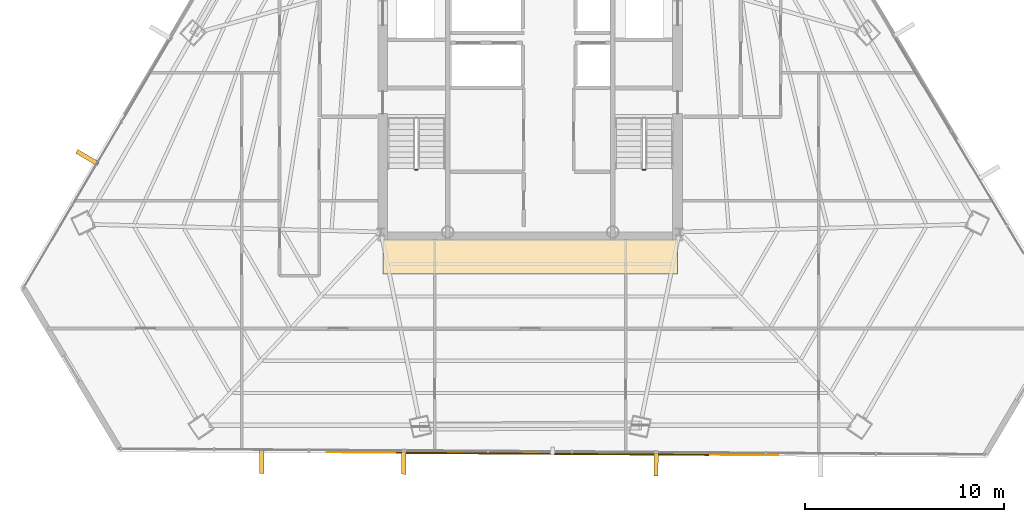
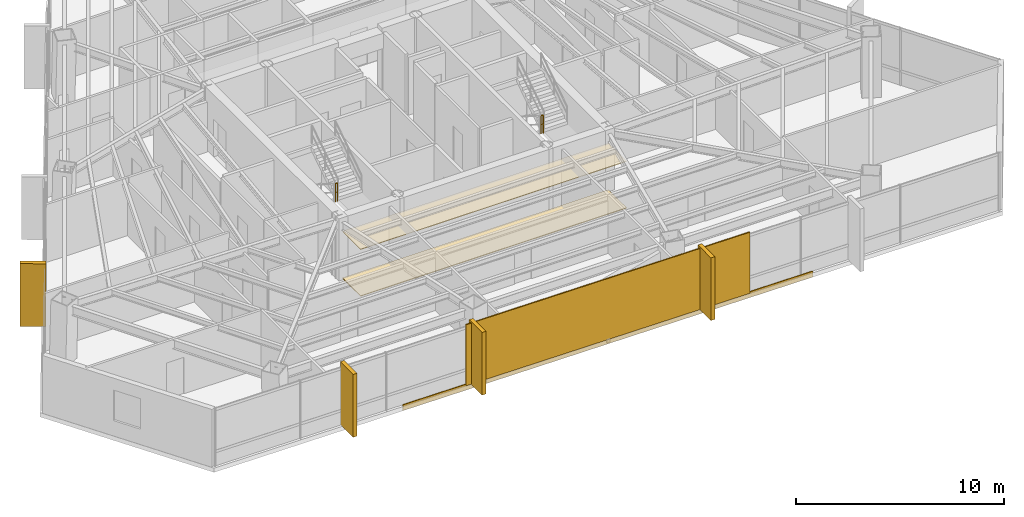
# One storey, part 39 of 41: 7 coverings, 2 railings, 1 shading device.
"""IFC4 building model written with IfcOpenShell, lengths in metres."""

from ifc_helpers import new_model, si_unit, direction, frame, origin, origin_2d, place, context, subcontext, project, spatial, polyline, rectangle, outline, extrude, source, transform, mapped, material, layer, layer_set, type_object, type_shapes, element, save


model = new_model("IFC4")

# Units and contexts
model_context = context("Model", 3, precision=1e-05, world=origin(), true_north=direction((0.0, 1.0)))
body_context = subcontext(model_context, "Body", "Model", "MODEL_VIEW")
ifc_project = project(units=[si_unit("LENGTHUNIT", "METRE"), si_unit("AREAUNIT", "SQUARE_METRE"), si_unit("VOLUMEUNIT", "CUBIC_METRE"), si_unit("PLANEANGLEUNIT", "RADIAN"), si_unit("MASSUNIT", "GRAM", prefix="KILO")], contexts=[model_context])

# Site, building, storey
site_placement = place(None, origin())
site = spatial("IfcSite", under=ifc_project, at=site_placement, CompositionType="ELEMENT")
building_placement = place(site_placement, origin())
building = spatial("IfcBuilding", under=site, at=building_placement, Name="Caelisora Broadcast Tower", CompositionType="ELEMENT")
storey_placement = place(building_placement, frame((0.0, 0.0, 169.449951171875)))
storey = spatial("IfcBuildingStorey", under=building, at=storey_placement, Name="L44", CompositionType="ELEMENT", Elevation=169.449951171875)

# Coverings
ifc_material_1 = material(Name="Perforated Mineral-Fibre Acoustic Ceiling Tile", Category="gypsum")
ifc_layer_1 = layer(ifc_material_1, 0.034912109375, Name="Perforated Mineral-Fibre Acoustic Ceiling Tile")
ifc_layer_set_1 = layer_set([ifc_layer_1], Name="Perforated Mineral-Fibre Acoustic Ceiling Tile")
covering_type_1 = type_object("IfcCoveringType", Name="CE-1", PredefinedType="CEILING", material=ifc_layer_set_1)
covering_1_placement = place(storey_placement, frame((0.0, 0.0, 2.75)))
element("IfcCovering", 1, at=covering_1_placement, inside=storey, type_object=covering_type_1, Name="L44 acoustic corridor ceiling CE-1 (S)", PredefinedType="CEILING", context=body_context, shape_type="SweptSolid", body=[
    extrude(outline(polyline([(30.60009765625, 15.300048828125), (45.39990234375, 15.300048828125), (45.39990234375, 17.050048828125), (30.60009765625, 17.050048828125), (30.60009765625, 15.300048828125)])), origin(), (0.0, 0.0, 1.0), 0.03515625),
])
ifc_material_2 = material(Name="Anti-Static Broadcast Raised Access Floor Panel", Category="steel")
ifc_layer_2 = layer(ifc_material_2, 0.044921875, Name="Anti-Static Broadcast Raised Access Floor Panel")
ifc_layer_set_2 = layer_set([ifc_layer_2], Name="Anti-Static Broadcast Raised Access Floor Panel")
covering_type_2 = type_object("IfcCoveringType", Name="FL-1", PredefinedType="FLOORING", material=ifc_layer_set_2)
covering_2_placement = place(storey_placement, origin())
element("IfcCovering", 2, at=covering_2_placement, inside=storey, type_object=covering_type_2, Name="L44 broadcast raised access floor FL-1 (S)", PredefinedType="FLOORING", context=body_context, shape_type="SweptSolid", body=[
    extrude(outline(polyline([(30.60009765625, 15.300048828125), (45.39990234375, 15.300048828125), (45.39990234375, 17.050048828125), (30.60009765625, 17.050048828125), (30.60009765625, 15.300048828125)])), origin(), (0.0, 0.0, 1.0), 0.045166015625),
])

# Railings
ifc_material_3 = material(Name="Galvanised Steel Safety Guardrail", Category="steel")
ifc_layer_3 = layer(ifc_material_3, 0.048095703125, Name="Galvanised Steel Safety Guardrail")
ifc_layer_set_3 = layer_set([ifc_layer_3], Name="Galvanised Steel Safety Guardrail")
railing_type = type_object("IfcRailingType", Name="GR-1", PredefinedType="GUARDRAIL", material=ifc_layer_set_3)
for number, where, name in (
    (3, (32.219970703125, 20.530029296875, 1.824951171875), "L44 ST-1 stair guard 2"),
    (4, (43.659912109375, 20.530029296875, 1.824951171875), "L44 ST-2 stair guard 2"),
):
    element("IfcRailing", number, at=place(storey_placement, frame(where)), inside=storey, type_object=railing_type, Name=name, PredefinedType="GUARDRAIL", context=body_context, shape_type="SweptSolid", body=[
        extrude(rectangle(XDim=0.048095703125, YDim=0.048095703125, at=origin_2d()), frame((0.0, 0.0, 1.076171875), z_axis=(1.0, 0.0, 0.0), x_axis=(0.0, 1.0, 0.0)), (0.0, 0.0, 1.0), 0.1201171875),
        extrude(rectangle(XDim=0.03125, YDim=0.03125, at=origin_2d()), frame((0.0, 0.0, 0.550048828125), z_axis=(1.0, 0.0, 0.0), x_axis=(0.0, 1.0, 0.0)), (0.0, 0.0, 1.0), 0.1201171875),
        extrude(rectangle(XDim=0.0419921875, YDim=0.0419921875, at=origin_2d()), origin(), (0.0, 0.0, 1.0), 1.052001953125),
        extrude(rectangle(XDim=0.0419921875, YDim=0.0419921875, at=origin_2d()), frame((0.1201171875, 0.0, 0.0)), (0.0, 0.0, 1.0), 1.052001953125),
    ])

# Coverings
ifc_material_4 = material(Name="Kiln-Fired Terracotta Spandrel Rainscreen Cladding", Category="ceramic")
ifc_layer_4 = layer(ifc_material_4, 0.044921875, Name="Kiln-Fired Terracotta Spandrel Rainscreen Cladding")
ifc_layer_set_4 = layer_set([ifc_layer_4], Name="Kiln-Fired Terracotta Spandrel Rainscreen Cladding")
covering_type_3 = type_object("IfcCoveringType", Name="CL-1", PredefinedType="CLADDING", material=ifc_layer_set_4)
shared_shape_1 = source(origin(), body_context, "Body", "SweptSolid", [
    extrude(rectangle(XDim=0.219970703125, YDim=1.25, at=origin_2d()), origin(), (0.0, 0.0, 1.0), 3.68994140625),
])
for number, where, z_axis, x_axis, name in (
    (5, (44.3271484375, 5.763916015625, -0.02001953125), (0.0, 0.0, 1.0), (-0.999978006703, 0.006632202536, 0.0), "L44 vertical solar fin cladding #2-2"),
    (6, (31.649169921875, 5.84716796875, -0.02001953125), (0.0, 0.0, 1.0), (-0.999978006703, 0.006632202536, 0.0), "L44 vertical solar fin cladding #2-3"),
    (7, (24.505126953125, 5.89404296875, -0.02001953125), (0.0, 0.0, 1.0), (-0.999978006703, 0.006632202536, 0.0), "L44 vertical solar fin cladding #2-4"),
    (8, (15.7470703125, 21.134033203125, -0.02001953125), (0.0, 0.0, 1.0), (0.507989441341, 0.861363295878, 0.0), "L44 vertical solar fin cladding #3-1"),
):
    element("IfcCovering", number, at=place(storey_placement, frame(where, z_axis=z_axis, x_axis=x_axis)), inside=storey, type_object=covering_type_3, Name=name, PredefinedType="CLADDING", context=body_context, shape_type="MappedRepresentation", body=[
        mapped(shared_shape_1, transform((0.0, 0.0, 0.0), scale=1.0)),
    ])

# Shading device
ifc_material_5 = material(Name="Perforated Glazed Terracotta Baguette Solar Screen", Category="ceramic")
ifc_layer_5 = layer(ifc_material_5, 0.06494140625, Name="Perforated Glazed Terracotta Baguette Solar Screen")
ifc_layer_set_5 = layer_set([ifc_layer_5], Name="Perforated Glazed Terracotta Baguette Solar Screen")
shading_device_type = type_object("IfcShadingDeviceType", Name="SS-1", PredefinedType="USERDEFINED", material=ifc_layer_set_5)
shared_shape_2 = source(origin(), body_context, "Body", "SweptSolid", [
    extrude(rectangle(XDim=15.72705078125, YDim=0.06494140625, at=origin_2d()), origin(), (0.0, 0.0, 1.0), 3.590087890625),
])
type_shapes(shading_device_type, [shared_shape_2])
shading_device_placement = place(storey_placement, frame((39.123291015625, 6.248046875, 0.0), z_axis=(0.0, 0.0, 1.0), x_axis=(0.999978006703, -0.006632202536, 0.0)))
element("IfcShadingDevice", 9, at=shading_device_placement, inside=storey, type_object=shading_device_type, Name="L44 perforated terracotta solar screen #2", ObjectType="SOLAR SCREEN", PredefinedType="USERDEFINED", context=body_context, shape_type="MappedRepresentation", body=[
    mapped(shared_shape_2, transform((0.0, 0.0, 0.0), scale=1.0)),
])

# Covering
shared_shape_3 = source(origin(), body_context, "Body", "SweptSolid", [
    extrude(rectangle(XDim=22.717041015625, YDim=0.044921875, at=origin_2d()), origin(), (0.0, 0.0, 1.0), 0.340087890625),
])
type_shapes(covering_type_3, [shared_shape_1, shared_shape_3])
covering_3_placement = place(storey_placement, frame((39.123291015625, 6.26806640625, -0.27001953125), z_axis=(0.0, 0.0, 1.0), x_axis=(0.999978006703, -0.006632202536, 0.0)))
element("IfcCovering", 10, at=covering_3_placement, inside=storey, type_object=covering_type_3, Name="L44 terracotta spandrel rainscreen #2", PredefinedType="CLADDING", context=body_context, shape_type="MappedRepresentation", body=[
    mapped(shared_shape_3, transform((0.0, 0.0, 0.0), scale=1.0)),
])

save(model, "model.ifc")
